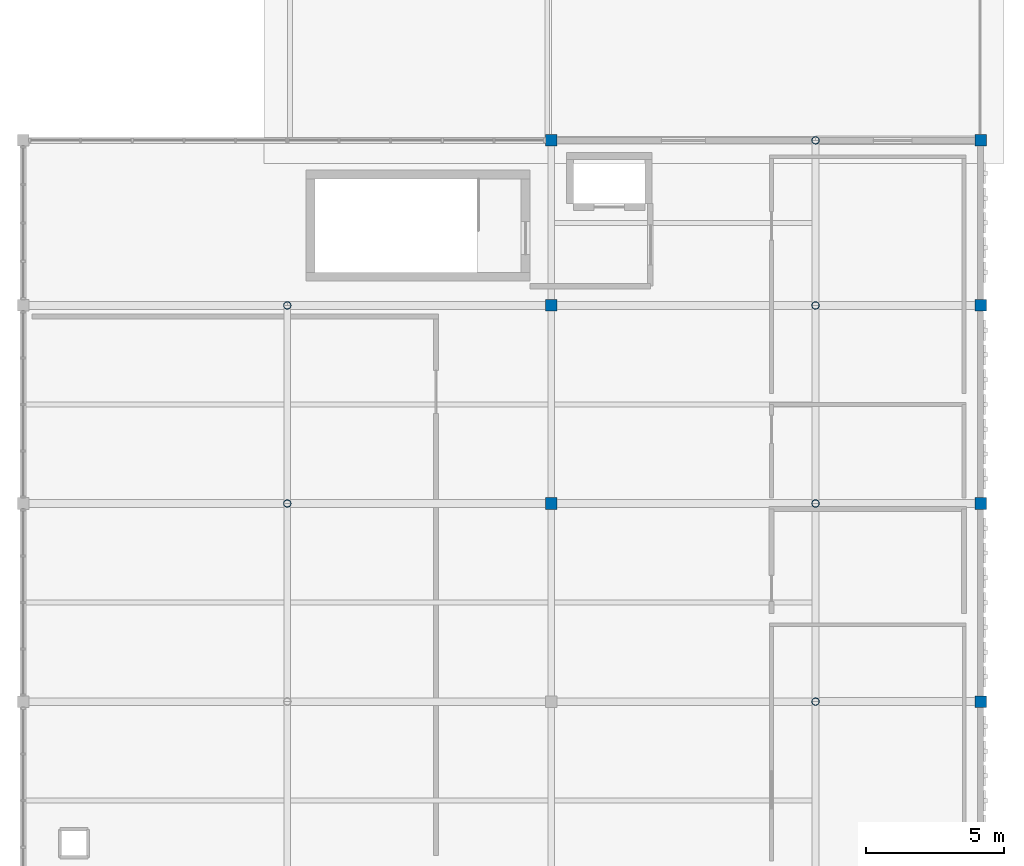
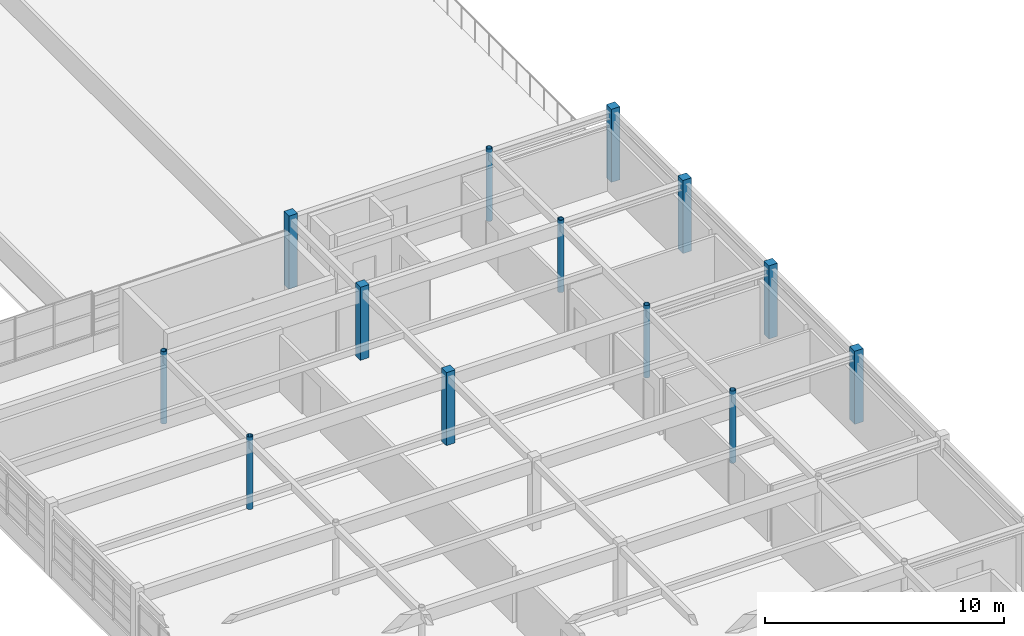
# One storey, part 3 of 25: 13 columns.
"""IFC4 building model written with IfcOpenShell, lengths in metres."""

from ifc_helpers import new_model, si_unit, direction, frame, origin, origin_2d, place, context, subcontext, project, spatial, rectangle, hollow_circle, extrude, material, material_profile, profile_set, type_object, element, save


model = new_model("IFC4")

# Units and contexts
model_context = context("Model", 3, precision=1e-05, world=origin(), true_north=direction((0.0, 1.0)))
body_context = subcontext(model_context, "Body", "Model", "MODEL_VIEW")
ifc_project = project(units=[si_unit("LENGTHUNIT", "METRE"), si_unit("AREAUNIT", "SQUARE_METRE"), si_unit("VOLUMEUNIT", "CUBIC_METRE"), si_unit("PLANEANGLEUNIT", "RADIAN"), si_unit("MASSUNIT", "GRAM", prefix="KILO")], contexts=[model_context])

# Site, building, storey
site_placement = place(None, origin())
site = spatial("IfcSite", under=ifc_project, at=site_placement, CompositionType="ELEMENT")
building_placement = place(site_placement, origin())
building = spatial("IfcBuilding", under=site, at=building_placement, Name="Nzembalo Square Collegiate School", CompositionType="ELEMENT")
storey_placement = place(building_placement, frame((0.0, 0.0, 21.080078125)))
storey = spatial("IfcBuildingStorey", under=building, at=storey_placement, Name="L05", CompositionType="ELEMENT", Elevation=21.080078125)

# Columns
ifc_material_1 = material(Name="Glulam GL28h", Category="wood")
ifc_material_profile_1 = material_profile(ifc_material_1, rectangle(XDim=0.419921875, YDim=0.419921875, at=origin_2d()), Name="GL28h 420x420")
ifc_profile_set_1 = profile_set([ifc_material_profile_1], Name="Glulam GL28h")
column_type_1 = type_object("IfcColumnType", Name="C06", PredefinedType="COLUMN", material=ifc_profile_set_1)
for number, where, z_axis, x_axis, name in (
    (1, (150.0, 37.199951171875, 0.0), (0.0, 0.0, 1.0), (1.0, 0.0, 0.0), "Column C06 L05 22/F"),
    (2, (150.0, 44.39990234375, 0.0), (0.0, 0.0, 1.0), (1.0, 0.0, 0.0), "Column C06 L05 22/G"),
    (3, (150.0, 50.39990234375, 0.0), (0.0, 0.0, 1.0), (1.0, 0.0, 0.0), "Column C06 L05 22/H"),
    (4, (165.60009765625, 30.0, 0.0), (0.0, 0.0, 1.0), (1.0, 0.0, 0.0), "Column C06 L05 24/E"),
    (5, (165.60009765625, 37.199951171875, 0.0), (0.0, 0.0, 1.0), (1.0, 0.0, 0.0), "Column C06 L05 24/F"),
    (6, (165.60009765625, 44.39990234375, 0.0), (0.0, 0.0, 1.0), (1.0, 0.0, 0.0), "Column C06 L05 24/G"),
    (7, (165.60009765625, 50.39990234375, 0.0), (0.0, 0.0, 1.0), (1.0, 0.0, 0.0), "Column C06 L05 24/H"),
):
    element("IfcColumn", number, at=place(storey_placement, frame(where, z_axis=z_axis, x_axis=x_axis)), inside=storey, type_object=column_type_1, Name=name, PredefinedType="COLUMN", context=body_context, shape_type="SweptSolid", body=[
        extrude(rectangle(XDim=0.419921875, YDim=0.419921875, at=origin_2d()), origin(), (0.0, 0.0, 1.0), 3.739990234375),
    ])
ifc_material_2 = material(Name="Steel S355", Category="steel")
ifc_material_profile_2 = material_profile(ifc_material_2, hollow_circle(Radius=0.136474609375, WallThickness=0.011962890625, at=origin_2d()), Name="CHS 273x12")
ifc_profile_set_2 = profile_set([ifc_material_profile_2], Name="Steel S355")
column_type_2 = type_object("IfcColumnType", Name="C09", PredefinedType="COLUMN", material=ifc_profile_set_2)
for number, where, z_axis, x_axis, name in (
    (8, (140.39990234375, 37.199951171875, 0.0), (0.0, 0.0, 1.0), (1.0, 0.0, 0.0), "Column C09 L05 21/F"),
    (9, (140.39990234375, 44.39990234375, 0.0), (0.0, 0.0, 1.0), (1.0, 0.0, 0.0), "Column C09 L05 21/G"),
    (10, (159.60009765625, 30.0, 0.0), (0.0, 0.0, 1.0), (1.0, 0.0, 0.0), "Column C09 L05 23/E"),
    (11, (159.60009765625, 37.199951171875, 0.0), (0.0, 0.0, 1.0), (1.0, 0.0, 0.0), "Column C09 L05 23/F"),
    (12, (159.60009765625, 44.39990234375, 0.0), (0.0, 0.0, 1.0), (1.0, 0.0, 0.0), "Column C09 L05 23/G"),
    (13, (159.60009765625, 50.39990234375, 0.0), (0.0, 0.0, 1.0), (1.0, 0.0, 0.0), "Column C09 L05 23/H"),
):
    element("IfcColumn", number, at=place(storey_placement, frame(where, z_axis=z_axis, x_axis=x_axis)), inside=storey, type_object=column_type_2, Name=name, PredefinedType="COLUMN", context=body_context, shape_type="SweptSolid", body=[
        extrude(hollow_circle(Radius=0.136474609375, WallThickness=0.011962890625, at=origin_2d()), origin(), (0.0, 0.0, 1.0), 3.699951171875),
    ])

save(model, "model.ifc")
